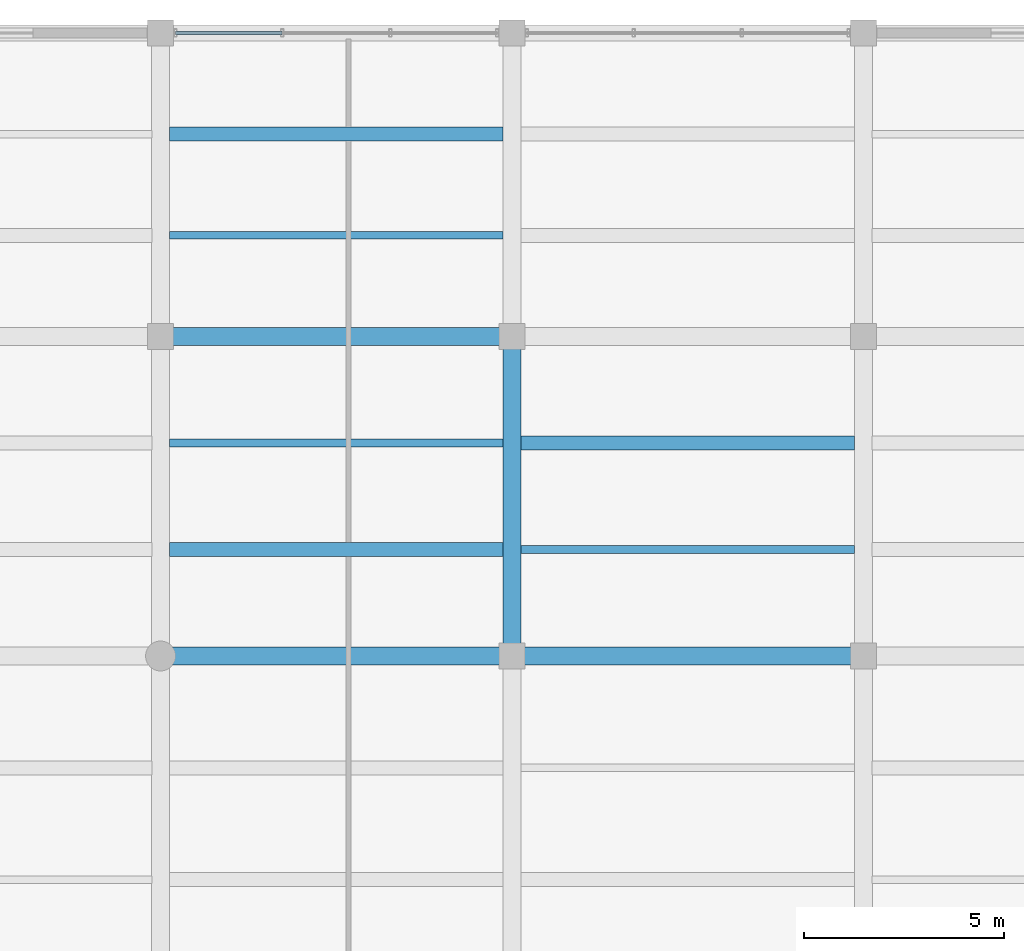
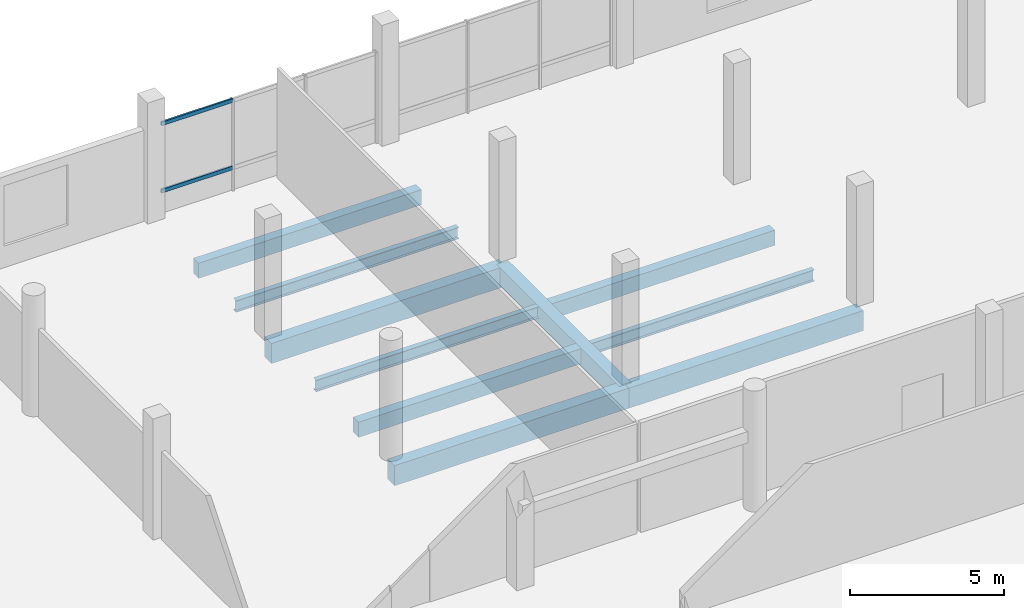
# One storey, part 48 of 71: 10 beams, 2 members, 1 element without a shape of its own.
"""IFC4 building model written with IfcOpenShell, lengths in metres."""

from ifc_helpers import new_model, si_unit, direction, frame, origin, origin_2d, place, context, subcontext, project, spatial, rectangle, hollow_rectangle, i_section, extrude, material, layer, layer_set, material_profile, profile_set, type_object, element, aggregate, save


model = new_model("IFC4")

# Units and contexts
model_context = context("Model", 3, precision=1e-05, world=origin(), true_north=direction((0.0, 1.0)))
body_context = subcontext(model_context, "Body", "Model", "MODEL_VIEW")
ifc_project = project(units=[si_unit("LENGTHUNIT", "METRE"), si_unit("AREAUNIT", "SQUARE_METRE"), si_unit("VOLUMEUNIT", "CUBIC_METRE"), si_unit("PLANEANGLEUNIT", "RADIAN"), si_unit("MASSUNIT", "GRAM", prefix="KILO")], contexts=[model_context])

# Site, building, storey
site_placement = place(None, origin())
site = spatial("IfcSite", under=ifc_project, at=site_placement, CompositionType="ELEMENT")
building_placement = place(site_placement, origin())
building = spatial("IfcBuilding", under=site, at=building_placement, Name="Meriwether Solvik Hall", CompositionType="ELEMENT")
storey_placement = place(building_placement, frame((0.0, 0.0, 5.10009765625)))
storey = spatial("IfcBuildingStorey", under=building, at=storey_placement, Name="L01", CompositionType="ELEMENT", Elevation=5.10009765625)

# Beams
ifc_material_1 = material(Name="Concrete C40/50", Category="concrete")
ifc_material_profile_1 = material_profile(ifc_material_1, rectangle(XDim=0.35009765625, YDim=0.60009765625, at=origin_2d()), Name="RCB-350X600")
ifc_profile_set_1 = profile_set([ifc_material_profile_1], Name="Concrete C40/50")
beam_type_1 = type_object("IfcBeamType", Name="BM-RC-350X600", PredefinedType="JOIST", material=ifc_profile_set_1)
for number, where, z_axis, x_axis, name in (
    (1, (132.02001953125, 103.86669921875, -0.60009765625), (1.0, 0.0, 0.0), (0.0, 1.0, 0.0), "Secondary Floor Joist 15/L_J1 (L01)"),
    (2, (132.02001953125, 114.2666015625, -0.60009765625), (1.0, 0.0, 0.0), (0.0, 1.0, 0.0), "Secondary Floor Joist 15/M_J2 (L01)"),
    (3, (140.820068359375, 106.533203125, -0.60009765625), (1.0, 0.0, 0.0), (0.0, 1.0, 0.0), "Secondary Floor Joist 16/L_J2 (L01)"),
):
    element("IfcBeam", number, at=place(storey_placement, frame(where, z_axis=z_axis, x_axis=x_axis)), inside=storey, type_object=beam_type_1, Name=name, PredefinedType="JOIST", context=body_context, shape_type="SweptSolid", body=[
        extrude(rectangle(XDim=0.35009765625, YDim=0.60009765625, at=origin_2d()), origin(), (0.0, 0.0, 1.0), 8.35986328125),
    ])
ifc_material_2 = material(Name="Concrete C40/50", Category="concrete")
ifc_material_profile_2 = material_profile(ifc_material_2, rectangle(XDim=0.449951171875, YDim=0.699951171875, at=origin_2d()), Name="RCB-450X700")
ifc_profile_set_2 = profile_set([ifc_material_profile_2], Name="Concrete C40/50")
beam_type_2 = type_object("IfcBeamType", Name="BM-RC-450X700", PredefinedType="BEAM", material=ifc_profile_set_2)
beam_1_placement = place(storey_placement, frame((140.60009765625, 101.199951171875, -0.650146484375), z_axis=(0.0, 1.0, 0.0), x_axis=(-1.0, 0.0, 0.0)))
element("IfcBeam", 4, at=beam_1_placement, inside=storey, type_object=beam_type_2, Name="Podium Girder 16:L-M (L01)", PredefinedType="BEAM", context=body_context, shape_type="SweptSolid", body=[
    extrude(rectangle(XDim=0.449951171875, YDim=0.699951171875, at=origin_2d()), origin(), (0.0, 0.0, 1.0), 8.0),
])
ifc_material_3 = material(Name="Concrete C40/50", Category="concrete")
ifc_material_profile_3 = material_profile(ifc_material_3, rectangle(XDim=0.449951171875, YDim=0.800048828125, at=origin_2d()), Name="RCB-450X800")
ifc_profile_set_3 = profile_set([ifc_material_profile_3], Name="Concrete C40/50")
beam_type_3 = type_object("IfcBeamType", Name="BM-RC-450X800", PredefinedType="BEAM", material=ifc_profile_set_3)
beam_2_placement = place(storey_placement, frame((131.800048828125, 101.199951171875, -0.7001953125), z_axis=(1.0, 0.0, 0.0), x_axis=(0.0, 1.0, 0.0)))
element("IfcBeam", 5, at=beam_2_placement, inside=storey, type_object=beam_type_3, Name="Podium Girder L:15-16 (L01)", PredefinedType="BEAM", context=body_context, shape_type="SweptSolid", body=[
    extrude(rectangle(XDim=0.449951171875, YDim=0.800048828125, at=origin_2d()), origin(), (0.0, 0.0, 1.0), 8.800048828125),
])
beam_3_placement = place(storey_placement, frame((140.60009765625, 101.199951171875, -0.7001953125), z_axis=(1.0, 0.0, 0.0), x_axis=(0.0, 1.0, 0.0)))
element("IfcBeam", 6, at=beam_3_placement, inside=storey, type_object=beam_type_3, Name="Podium Girder L:16-17 (L01)", PredefinedType="BEAM", context=body_context, shape_type="SweptSolid", body=[
    extrude(rectangle(XDim=0.449951171875, YDim=0.800048828125, at=origin_2d()), origin(), (0.0, 0.0, 1.0), 8.7998046875),
])
beam_4_placement = place(storey_placement, frame((131.800048828125, 109.199951171875, -0.7001953125), z_axis=(1.0, 0.0, 0.0), x_axis=(0.0, 1.0, 0.0)))
element("IfcBeam", 7, at=beam_4_placement, inside=storey, type_object=beam_type_3, Name="Podium Girder M:15-16 (L01)", PredefinedType="BEAM", context=body_context, shape_type="SweptSolid", body=[
    extrude(rectangle(XDim=0.449951171875, YDim=0.800048828125, at=origin_2d()), origin(), (0.0, 0.0, 1.0), 8.800048828125),
])
ifc_material_4 = material(Name="Steel A992 Grade 50", Category="steel")
ifc_material_profile_4 = material_profile(ifc_material_4, i_section(OverallWidth=0.19091796875, OverallDepth=0.45703125, WebThickness=0.009033203125, FlangeThickness=0.014404296875, at=origin_2d()), Name="W18X50")
ifc_profile_set_4 = profile_set([ifc_material_profile_4], Name="Steel A992 Grade 50")
beam_type_4 = type_object("IfcBeamType", Name="BM-STL-W18X50", PredefinedType="JOIST", material=ifc_profile_set_4)
for number, where, z_axis, x_axis, name in (
    (8, (132.02001953125, 106.533203125, -0.528564453125), (1.0, 0.0, 0.0), (0.0, 1.0, 0.0), "Secondary Floor Joist 15/L_J2 (L01)"),
    (9, (132.02001953125, 111.7333984375, -0.528564453125), (1.0, 0.0, 0.0), (0.0, 1.0, 0.0), "Secondary Floor Joist 15/M_J1 (L01)"),
    (10, (140.820068359375, 103.86669921875, -0.528564453125), (1.0, 0.0, 0.0), (0.0, 1.0, 0.0), "Secondary Floor Joist 16/L_J1 (L01)"),
):
    element("IfcBeam", number, at=place(storey_placement, frame(where, z_axis=z_axis, x_axis=x_axis)), inside=storey, type_object=beam_type_4, Name=name, PredefinedType="JOIST", context=body_context, shape_type="SweptSolid", body=[
        extrude(i_section(OverallWidth=0.19091796875, OverallDepth=0.45703125, WebThickness=0.009033203125, FlangeThickness=0.014404296875, at=origin_2d()), origin(), (0.0, 0.0, 1.0), 8.35986328125),
    ])

# Curtain wall, members
ifc_material_5 = material(Name="Thermally Broken Anodised Aluminium 6063-T6 and Low-E Glass", Category="aluminium")
ifc_layer = layer(ifc_material_5, 0.179931640625)
ifc_layer_set = layer_set([ifc_layer], Name="Thermally Broken Anodised Aluminium 6063-T6 and Low-E Glass")
curtain_wall_type = type_object("IfcCurtainWallType", Name="CW-SF-POD-B", PredefinedType="USERDEFINED", material=ifc_layer_set)
curtain_wall_placement = place(storey_placement, origin())
curtain_wall = element("IfcCurtainWall", 11, at=curtain_wall_placement, inside=storey, type_object=curtain_wall_type, Name="Curtain Wall wing_XN_15_32 (L01)", ObjectType="STICK STOREFRONT GLAZING", PredefinedType="USERDEFINED")
ifc_material_6 = material(Name="Anodised Aluminium 6063-T6", Category="aluminium")
ifc_material_profile_5 = material_profile(ifc_material_6, hollow_rectangle(XDim=0.070068359375, YDim=0.14990234375, WallThickness=0.0048828125, at=origin_2d()), Name="CWT-70X150")
ifc_profile_set_5 = profile_set([ifc_material_profile_5], Name="Anodised Aluminium 6063-T6")
member_type = type_object("IfcMemberType", Name="CW-TRN-70X150", PredefinedType="USERDEFINED", material=ifc_profile_set_5)
member_1_placement = place(storey_placement, frame((132.175048828125, 116.800048828125, 0.8798828125), z_axis=(1.0, 0.0, 0.0), x_axis=(0.0, 1.0, 0.0)))
member_1 = element("IfcMember", 12, at=member_1_placement, type_object=member_type, Name="Curtain Wall Transom 1-sill", ObjectType="TRANSOM", PredefinedType="USERDEFINED", context=body_context, shape_type="SweptSolid", body=[
    extrude(hollow_rectangle(XDim=0.070068359375, YDim=0.14990234375, WallThickness=0.0048828125, at=origin_2d()), origin(), (0.0, 0.0, 1.0), 2.670654296875),
])
member_2_placement = place(storey_placement, frame((132.175048828125, 116.800048828125, 3.5498046875), z_axis=(1.0, 0.0, 0.0), x_axis=(0.0, 1.0, 0.0)))
member_2 = element("IfcMember", 13, at=member_2_placement, type_object=member_type, Name="Curtain Wall Transom 1-head", ObjectType="TRANSOM", PredefinedType="USERDEFINED", context=body_context, shape_type="SweptSolid", body=[
    extrude(hollow_rectangle(XDim=0.070068359375, YDim=0.14990234375, WallThickness=0.0048828125, at=origin_2d()), origin(), (0.0, 0.0, 1.0), 2.670654296875),
])
aggregate(curtain_wall, [member_1, member_2])

save(model, "model.ifc")
